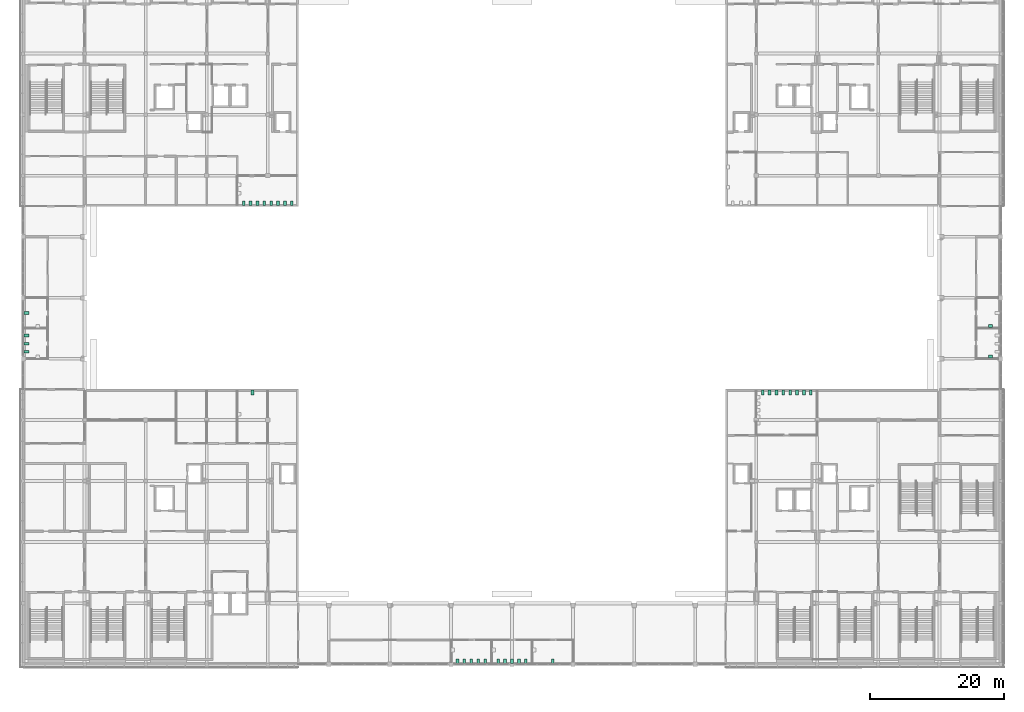
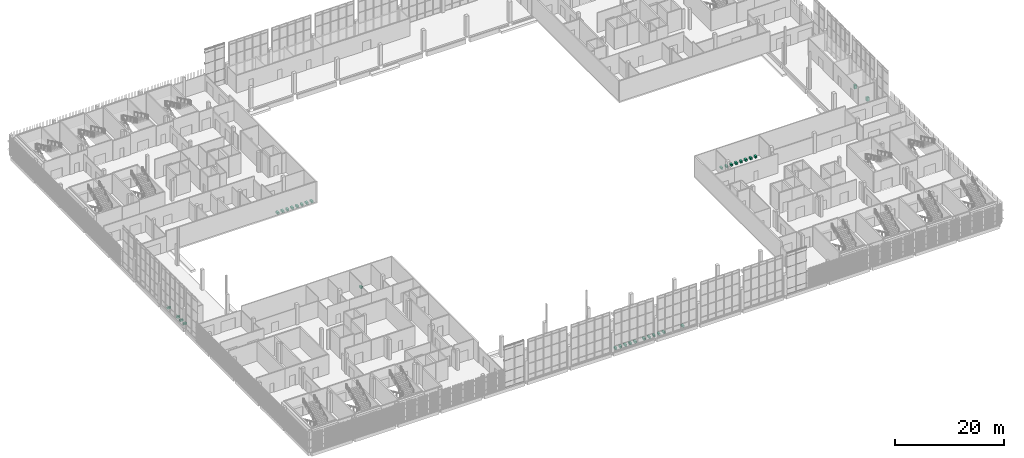
# One storey, part 90 of 91: 34 sanitary terminals.
"""IFC4 building model written with IfcOpenShell, lengths in metres."""

from ifc_helpers import new_model, si_unit, direction, frame, origin, origin_2d, place, context, subcontext, project, spatial, rectangle, extrude, element, save


model = new_model("IFC4")

# Units and contexts
model_context = context("Model", 3, precision=1e-05, world=origin(), true_north=direction((0.0, 1.0)))
body_context = subcontext(model_context, "Body", "Model", "MODEL_VIEW")
ifc_project = project(units=[si_unit("LENGTHUNIT", "METRE"), si_unit("AREAUNIT", "SQUARE_METRE"), si_unit("VOLUMEUNIT", "CUBIC_METRE"), si_unit("PLANEANGLEUNIT", "RADIAN"), si_unit("MASSUNIT", "GRAM", prefix="KILO")], contexts=[model_context])

# Site, building, storey
site_placement = place(None, origin())
site = spatial("IfcSite", under=ifc_project, at=site_placement, CompositionType="ELEMENT")
building_placement = place(site_placement, origin())
building = spatial("IfcBuilding", under=site, at=building_placement, Name="Shirokan Park Arena", CompositionType="ELEMENT")
storey_placement = place(building_placement, frame((0.0, 0.0, 24.570068359375)))
storey = spatial("IfcBuildingStorey", under=building, at=storey_placement, Name="L05", CompositionType="ELEMENT", Elevation=24.570068359375)

# Sanitary terminals
for number, where, z_axis, x_axis, name in (
    (1, (34.125, 40.5, 0.0), (0.0, 0.0, 1.0), (1.0, 0.0, 0.0), "Water closet Accessible WC 5.14"),
    (2, (110.16259765625, 40.5, 0.0), (0.0, 0.0, 1.0), (1.0, 0.0, 0.0), "Water closet Men's WC 5.22"),
    (3, (111.1875, 40.5, 0.0), (0.0, 0.0, 1.0), (1.0, 0.0, 0.0), "Water closet Men's WC 5.22"),
    (4, (112.21240234375, 40.5, 0.0), (0.0, 0.0, 1.0), (1.0, 0.0, 0.0), "Water closet Men's WC 5.22"),
    (5, (113.237548828125, 40.5, 0.0), (0.0, 0.0, 1.0), (1.0, 0.0, 0.0), "Water closet Men's WC 5.22"),
    (6, (114.262451171875, 40.5, 0.0), (0.0, 0.0, 1.0), (1.0, 0.0, 0.0), "Water closet Men's WC 5.22"),
    (7, (115.28759765625, 40.5, 0.0), (0.0, 0.0, 1.0), (1.0, 0.0, 0.0), "Water closet Men's WC 5.22"),
    (8, (116.3125, 40.5, 0.0), (0.0, 0.0, 1.0), (1.0, 0.0, 0.0), "Water closet Men's WC 5.22"),
    (9, (117.33740234375, 40.5, 0.0), (0.0, 0.0, 1.0), (1.0, 0.0, 0.0), "Water closet Men's WC 5.22"),
    (10, (32.8125, 68.699951171875, 0.0), (0.0, 0.0, 1.0), (1.0, 0.0, 0.0), "Water closet Men's WC 5.45"),
    (11, (33.83740234375, 68.699951171875, 0.0), (0.0, 0.0, 1.0), (1.0, 0.0, 0.0), "Water closet Men's WC 5.45"),
    (12, (34.862548828125, 68.699951171875, 0.0), (0.0, 0.0, 1.0), (1.0, 0.0, 0.0), "Water closet Men's WC 5.45"),
    (13, (35.887451171875, 68.699951171875, 0.0), (0.0, 0.0, 1.0), (1.0, 0.0, 0.0), "Water closet Men's WC 5.45"),
    (14, (36.91259765625, 68.699951171875, 0.0), (0.0, 0.0, 1.0), (1.0, 0.0, 0.0), "Water closet Men's WC 5.45"),
    (15, (37.9375, 68.699951171875, 0.0), (0.0, 0.0, 1.0), (1.0, 0.0, 0.0), "Water closet Men's WC 5.45"),
    (16, (38.96240234375, 68.699951171875, 0.0), (0.0, 0.0, 1.0), (1.0, 0.0, 0.0), "Water closet Men's WC 5.45"),
    (17, (39.987548828125, 68.699951171875, 0.0), (0.0, 0.0, 1.0), (1.0, 0.0, 0.0), "Water closet Men's WC 5.45"),
):
    element("IfcSanitaryTerminal", number, at=place(storey_placement, frame(where, z_axis=z_axis, x_axis=x_axis)), inside=storey, Name=name, PredefinedType="TOILETPAN", context=body_context, shape_type="SweptSolid", body=[
        extrude(rectangle(XDim=0.39990234375, YDim=0.699951171875, at=origin_2d()), origin(), (0.0, 0.0, 1.0), 0.39990234375),
    ])
for number, where, z_axis, x_axis, name in (
    (18, (144.10009765625, 45.824951171875, 0.0), (0.0, 0.0, 1.0), (1.0, 0.0, 0.0), "Washbasin Men's WC 5.21"),
    (19, (144.10009765625, 50.375, 0.0), (0.0, 0.0, 1.0), (1.0, 0.0, 0.0), "Washbasin Accessible WC 5.22"),
):
    element("IfcSanitaryTerminal", number, at=place(storey_placement, frame(where, z_axis=z_axis, x_axis=x_axis)), inside=storey, Name=name, PredefinedType="WASHHANDBASIN", context=body_context, shape_type="SweptSolid", body=[
        extrude(rectangle(XDim=0.550048828125, YDim=0.449951171875, at=origin_2d()), origin(), (0.0, 0.0, 1.0), 0.85009765625),
    ])
for number, where, z_axis, x_axis, name in (
    (20, (64.666748046875, 0.449951171875, 0.0), (0.0, 0.0, 1.0), (1.0, 0.0, 0.0), "Water closet Men's WC 5.42"),
    (21, (65.699951171875, 0.449951171875, 0.0), (0.0, 0.0, 1.0), (1.0, 0.0, 0.0), "Water closet Men's WC 5.42"),
    (22, (66.7333984375, 0.449951171875, 0.0), (0.0, 0.0, 1.0), (1.0, 0.0, 0.0), "Water closet Men's WC 5.42"),
    (23, (67.7666015625, 0.449951171875, 0.0), (0.0, 0.0, 1.0), (1.0, 0.0, 0.0), "Water closet Men's WC 5.42"),
    (24, (68.800048828125, 0.449951171875, 0.0), (0.0, 0.0, 1.0), (1.0, 0.0, 0.0), "Water closet Men's WC 5.42"),
    (25, (70.7333984375, 0.449951171875, 0.0), (0.0, 0.0, 1.0), (1.0, 0.0, 0.0), "Water closet Women's WC 5.43"),
    (26, (71.7666015625, 0.449951171875, 0.0), (0.0, 0.0, 1.0), (1.0, 0.0, 0.0), "Water closet Women's WC 5.43"),
    (27, (72.800048828125, 0.449951171875, 0.0), (0.0, 0.0, 1.0), (1.0, 0.0, 0.0), "Water closet Women's WC 5.43"),
    (28, (73.833251953125, 0.449951171875, 0.0), (0.0, 0.0, 1.0), (1.0, 0.0, 0.0), "Water closet Women's WC 5.43"),
    (29, (74.86669921875, 0.449951171875, 0.0), (0.0, 0.0, 1.0), (1.0, 0.0, 0.0), "Water closet Women's WC 5.43"),
    (30, (78.86669921875, 0.449951171875, 0.0), (0.0, 0.0, 1.0), (1.0, 0.0, 0.0), "Water closet Accessible WC 5.44"),
):
    element("IfcSanitaryTerminal", number, at=place(storey_placement, frame(where, z_axis=z_axis, x_axis=x_axis)), inside=storey, Name=name, PredefinedType="TOILETPAN", context=body_context, shape_type="SweptSolid", body=[
        extrude(rectangle(XDim=0.39990234375, YDim=0.699951171875, at=origin_2d()), origin(), (0.0, 0.0, 1.0), 0.39990234375),
    ])
for number, where, z_axis, x_axis, name in (
    (31, (0.449951171875, 46.558349609375, 0.0), (0.0, 0.0, 1.0), (1.0, 0.0, 0.0), "Water closet Women's WC 5.11"),
    (32, (0.449951171875, 47.77490234375, 0.0), (0.0, 0.0, 1.0), (1.0, 0.0, 0.0), "Water closet Women's WC 5.11"),
    (33, (0.449951171875, 48.99169921875, 0.0), (0.0, 0.0, 1.0), (1.0, 0.0, 0.0), "Water closet Women's WC 5.11"),
    (34, (0.449951171875, 52.324951171875, 0.0), (0.0, 0.0, 1.0), (1.0, 0.0, 0.0), "Water closet Accessible WC 5.12"),
):
    element("IfcSanitaryTerminal", number, at=place(storey_placement, frame(where, z_axis=z_axis, x_axis=x_axis)), inside=storey, Name=name, PredefinedType="TOILETPAN", context=body_context, shape_type="SweptSolid", body=[
        extrude(rectangle(XDim=0.699951171875, YDim=0.39990234375, at=origin_2d()), origin(), (0.0, 0.0, 1.0), 0.39990234375),
    ])

save(model, "model.ifc")
